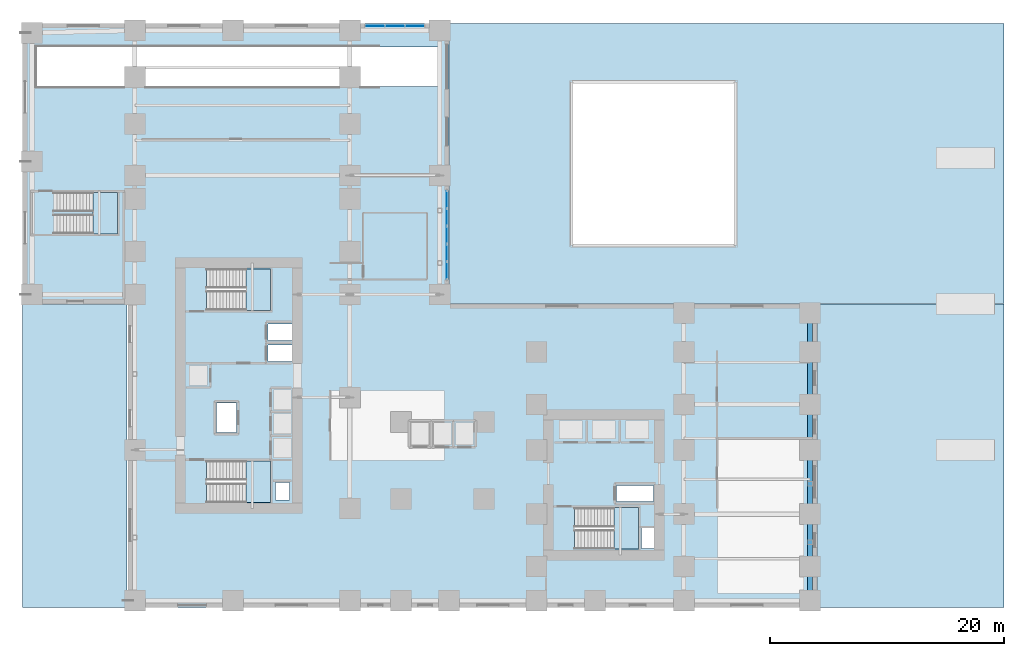
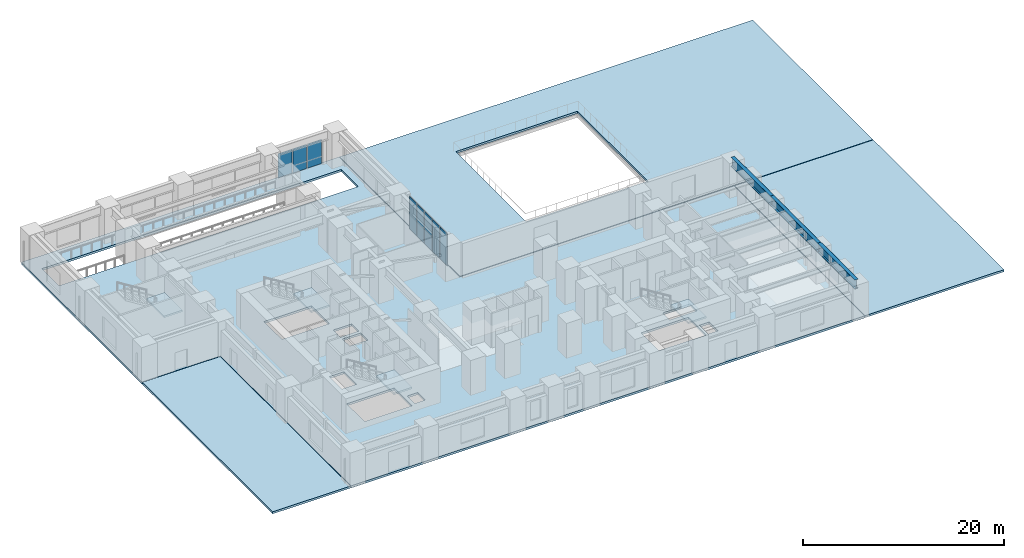
# One storey, part 11 of 23: 8 plates, 8 slabs, 3 beams, 6 elements without a shape of their own.
"""IFC4 building model written with IfcOpenShell, lengths in metres."""

from ifc_helpers import new_model, si_unit, direction, frame, origin, origin_2d, place, context, subcontext, project, spatial, polyline, rectangle, i_section, outline, extrude, source, transform, mapped, material, layer, layer_set, material_profile, profile_set, type_object, element, aggregate, save


model = new_model("IFC4")

# Units and contexts
model_context = context("Model", 3, precision=1e-05, world=origin(), true_north=direction((0.0, 1.0)))
body_context = subcontext(model_context, "Body", "Model", "MODEL_VIEW")
ifc_project = project(units=[si_unit("LENGTHUNIT", "METRE"), si_unit("AREAUNIT", "SQUARE_METRE"), si_unit("VOLUMEUNIT", "CUBIC_METRE"), si_unit("PLANEANGLEUNIT", "RADIAN"), si_unit("MASSUNIT", "GRAM", prefix="KILO")], contexts=[model_context])

# Site, building, storey
site_placement = place(None, origin())
site = spatial("IfcSite", under=ifc_project, at=site_placement, CompositionType="ELEMENT")
building_placement = place(site_placement, origin())
building = spatial("IfcBuilding", under=site, at=building_placement, Name="Kharzan Plaza Tower", CompositionType="ELEMENT")
storey_placement = place(building_placement, origin())
storey = spatial("IfcBuildingStorey", under=building, at=storey_placement, Name="L00", CompositionType="ELEMENT", Elevation=0.0)

# Beams
ifc_material_1 = material(Name="Steel S355", Category="steel")
ifc_material_profile = material_profile(ifc_material_1, i_section(OverallWidth=0.39990234375, OverallDepth=1.10009765625, WebThickness=0.02001953125, FlangeThickness=0.035888671875, at=origin_2d()), Name="W1100x390")
ifc_profile_set = profile_set([ifc_material_profile], Name="Steel S355")
beam_type = type_object("IfcBeamType", Name="BM-PG1100B", PredefinedType="BEAM", material=ifc_profile_set)
shared_shape_1 = source(origin(), body_context, "Body", "SweptSolid", [
    extrude(i_section(OverallWidth=0.39990234375, OverallDepth=1.10009765625, WebThickness=0.02001953125, FlangeThickness=0.035888671875, at=origin_2d()), origin(), (0.0, 0.0, 1.0), 7.39990234375),
])
beam_1_placement = place(storey_placement, frame((58.39990234375, 0.60009765625, 3.699951171875), z_axis=(0.0, 1.0, 0.0), x_axis=(-1.0, 0.0, 0.0)))
element("IfcBeam", 1, at=beam_1_placement, inside=storey, type_object=beam_type, Name="L00 Podium Primary Girder PG-25", PredefinedType="BEAM", context=body_context, shape_type="MappedRepresentation", body=[
    mapped(shared_shape_1, transform((0.0, 0.0, 0.0), x_axis=(1.0, 0.0, 0.0), y_axis=(0.0, 1.0, 0.0), z_axis=(0.0, 0.0, 1.0))),
])
shared_shape_2 = source(origin(), body_context, "Body", "SweptSolid", [
    extrude(i_section(OverallWidth=0.39990234375, OverallDepth=1.10009765625, WebThickness=0.02001953125, FlangeThickness=0.035888671875, at=origin_2d()), origin(), (0.0, 0.0, 1.0), 9.39990234375),
])
beam_2_placement = place(storey_placement, frame((58.39990234375, 8.0, 3.699951171875), z_axis=(0.0, 1.0, 0.0), x_axis=(-1.0, 0.0, 0.0)))
element("IfcBeam", 2, at=beam_2_placement, inside=storey, type_object=beam_type, Name="L00 Podium Primary Girder PG-26", PredefinedType="BEAM", context=body_context, shape_type="MappedRepresentation", body=[
    mapped(shared_shape_2, transform((0.0, 0.0, 0.0), x_axis=(1.0, 0.0, 0.0), y_axis=(0.0, 1.0, 0.0), z_axis=(0.0, 0.0, 1.0))),
])
shared_shape_3 = source(origin(), body_context, "Body", "SweptSolid", [
    extrude(i_section(OverallWidth=0.39990234375, OverallDepth=1.10009765625, WebThickness=0.02001953125, FlangeThickness=0.035888671875, at=origin_2d()), origin(), (0.0, 0.0, 1.0), 7.800048828125),
])
beam_3_placement = place(storey_placement, frame((58.39990234375, 17.39990234375, 3.699951171875), z_axis=(0.0, 1.0, 0.0), x_axis=(-1.0, 0.0, 0.0)))
element("IfcBeam", 3, at=beam_3_placement, inside=storey, type_object=beam_type, Name="L00 Podium Primary Girder PG-27", PredefinedType="BEAM", context=body_context, shape_type="MappedRepresentation", body=[
    mapped(shared_shape_3, transform((0.0, 0.0, 0.0), x_axis=(1.0, 0.0, 0.0), y_axis=(0.0, 1.0, 0.0), z_axis=(0.0, 0.0, 1.0))),
])

# Slab
ifc_material_2 = material(Name="Concrete C40/50", Category="concrete")
ifc_layer_1 = layer(ifc_material_2, 0.260009765625)
ifc_layer_set_1 = layer_set([ifc_layer_1], Name="Concrete C40/50")
slab_type_1 = type_object("IfcSlabType", Name="SL-FLOOR-260", PredefinedType="FLOOR", material=ifc_layer_set_1)
slab_1_placement = place(storey_placement, frame((0.0, 0.0, -0.260009765625)))
element("IfcSlab", 4, at=slab_1_placement, inside=storey, type_object=slab_type_1, Name="L00 Composite Structural Floor Slab 260 mm", PredefinedType="FLOOR", context=body_context, shape_type="SweptSolid", body=[
    extrude(outline(polyline([(59.0, 0.0), (59.0, 26.0), (27.5, 26.0), (27.5, 50.0), (-9.0, 50.0), (-9.0, 26.0), (0.0, 26.0), (0.0, 0.0), (59.0, 0.0)]), holes=[polyline([(45.050048828125, 6.800048828125), (43.949951171875, 6.800048828125), (43.949951171875, 5.050048828125), (45.050048828125, 5.050048828125), (45.050048828125, 6.800048828125)]), polyline([(43.699951171875, 8.550048828125), (38.25, 8.550048828125), (38.25, 5.0), (43.699951171875, 5.0), (43.699951171875, 8.550048828125)]), polyline([(45.0, 10.469970703125), (41.85009765625, 10.469970703125), (41.85009765625, 9.070068359375), (45.0, 9.070068359375), (45.0, 10.469970703125)]), polyline([(13.85009765625, 9.199951171875), (13.85009765625, 10.699951171875), (12.64990234375, 10.699951171875), (12.64990234375, 9.199951171875), (13.85009765625, 9.199951171875)]), polyline([(12.199951171875, 9.0), (12.199951171875, 12.550048828125), (6.75, 12.550048828125), (6.75, 9.0), (12.199951171875, 9.0)]), polyline([(9.300048828125, 17.5), (7.60009765625, 17.5), (7.60009765625, 15.0), (9.300048828125, 15.0), (9.300048828125, 17.5)]), polyline([(14.10009765625, 22.489990234375), (12.0, 22.489990234375), (12.0, 21.070068359375), (14.10009765625, 21.070068359375), (14.10009765625, 22.489990234375)]), polyline([(14.10009765625, 24.2900390625), (12.0, 24.2900390625), (12.0, 22.8701171875), (14.10009765625, 22.8701171875), (14.10009765625, 24.2900390625)]), polyline([(12.199951171875, 25.449951171875), (12.199951171875, 29.0), (6.75, 29.0), (6.75, 25.449951171875), (12.199951171875, 25.449951171875)]), polyline([(26.60009765625, 44.60009765625), (26.60009765625, 48.0), (-7.800048828125, 48.0), (-7.800048828125, 44.60009765625), (26.60009765625, 44.60009765625)])]), origin(), (0.0, 0.0, 1.0), 0.260009765625),
])

# Stair, slab
stair_type_1 = type_object("IfcStairType", Name="STR-ST-1", PredefinedType="HALF_TURN_STAIR", material=ifc_material_2)
stair_1_placement = place(storey_placement, origin())
stair_1 = element("IfcStair", 5, at=stair_1_placement, inside=storey, type_object=stair_type_1, Name="L00 Protected Exit Stair ST-1", PredefinedType="HALF_TURN_STAIR")
ifc_layer_2 = layer(ifc_material_2, 0.219970703125)
ifc_layer_set_2 = layer_set([ifc_layer_2], Name="Concrete C40/50")
slab_type_2 = type_object("IfcSlabType", Name="SL-LANDING-220", PredefinedType="LANDING", material=ifc_layer_set_2)
slab_2_placement = place(storey_placement, frame((0.0, 0.0, 2.050048828125)))
slab_2 = element("IfcSlab", 6, at=slab_2_placement, type_object=slab_type_2, Name="ST-1 landing 1", PredefinedType="LANDING", context=body_context, shape_type="SweptSolid", body=[
    extrude(outline(polyline([(10.110107421875, 9.0), (12.199951171875, 9.0), (12.199951171875, 12.550048828125), (10.110107421875, 12.550048828125), (10.110107421875, 9.0)])), origin(), (0.0, 0.0, 1.0), 0.199951171875),
])
aggregate(stair_1, [slab_2])

stair_type_2 = type_object("IfcStairType", Name="STR-ST-2", PredefinedType="HALF_TURN_STAIR", material=ifc_material_2)
stair_2_placement = place(storey_placement, origin())
stair_2 = element("IfcStair", 7, at=stair_2_placement, inside=storey, type_object=stair_type_2, Name="L00 Protected Exit Stair ST-2", PredefinedType="HALF_TURN_STAIR")
slab_3_placement = place(storey_placement, frame((0.0, 0.0, 2.050048828125)))
slab_3 = element("IfcSlab", 8, at=slab_3_placement, type_object=slab_type_2, Name="ST-2 landing 1", PredefinedType="LANDING", context=body_context, shape_type="SweptSolid", body=[
    extrude(outline(polyline([(10.110107421875, 25.449951171875), (12.199951171875, 25.449951171875), (12.199951171875, 29.0), (10.110107421875, 29.0), (10.110107421875, 25.449951171875)])), origin(), (0.0, 0.0, 1.0), 0.199951171875),
])
aggregate(stair_2, [slab_3])

stair_type_3 = type_object("IfcStairType", Name="STR-ST-3", PredefinedType="HALF_TURN_STAIR", material=ifc_material_2)
stair_3_placement = place(storey_placement, origin())
stair_3 = element("IfcStair", 9, at=stair_3_placement, inside=storey, type_object=stair_type_3, Name="L00 Protected Exit Stair ST-3", PredefinedType="HALF_TURN_STAIR")
slab_4_placement = place(storey_placement, frame((0.0, 0.0, 2.050048828125)))
slab_4 = element("IfcSlab", 10, at=slab_4_placement, type_object=slab_type_2, Name="ST-3 landing 1", PredefinedType="LANDING", context=body_context, shape_type="SweptSolid", body=[
    extrude(outline(polyline([(41.610107421875, 5.0), (43.699951171875, 5.0), (43.699951171875, 8.550048828125), (41.610107421875, 8.550048828125), (41.610107421875, 5.0)])), origin(), (0.0, 0.0, 1.0), 0.199951171875),
])
aggregate(stair_3, [slab_4])

stair_type_4 = type_object("IfcStairType", Name="STR-ST-4", PredefinedType="HALF_TURN_STAIR", material=ifc_material_2)
stair_4_placement = place(storey_placement, origin())
stair_4 = element("IfcStair", 11, at=stair_4_placement, inside=storey, type_object=stair_type_4, Name="L00 Podium Exit Stair ST-4", PredefinedType="HALF_TURN_STAIR")
slab_5_placement = place(storey_placement, frame((0.0, 0.0, 2.050048828125)))
slab_5 = element("IfcSlab", 12, at=slab_5_placement, type_object=slab_type_2, Name="ST-4 landing 1", PredefinedType="LANDING", context=body_context, shape_type="SweptSolid", body=[
    extrude(outline(polyline([(-2.989990234375, 32.0), (-0.89990234375, 32.0), (-0.89990234375, 35.550048828125), (-2.989990234375, 35.550048828125), (-2.989990234375, 32.0)])), origin(), (0.0, 0.0, 1.0), 0.199951171875),
])
aggregate(stair_4, [slab_5])

# Slabs
ifc_layer_3 = layer(ifc_material_2, 0.25)
ifc_layer_set_3 = layer_set([ifc_layer_3], Name="Concrete C40/50")
slab_type_3 = type_object("IfcSlabType", Name="SL-PLAZA-250", PredefinedType="USERDEFINED", material=ifc_layer_set_3)
slab_6_placement = place(storey_placement, frame((0.0, 0.0, -0.25)))
element("IfcSlab", 13, at=slab_6_placement, inside=storey, type_object=slab_type_3, Name="L00 Public Forecourt Plaza Paving 1", ObjectType="PAVING", PredefinedType="USERDEFINED", context=body_context, shape_type="SweptSolid", body=[
    extrude(outline(polyline([(-9.0, 0.0), (-0.050048828125, 0.0), (-0.050048828125, 25.949951171875), (-9.0, 25.949951171875), (-9.0, 0.0)])), origin(), (0.0, 0.0, 1.0), 0.25),
])
slab_7_placement = place(storey_placement, frame((0.0, 0.0, -0.25)))
element("IfcSlab", 14, at=slab_7_placement, inside=storey, type_object=slab_type_3, Name="L00 Public Forecourt Plaza Paving 2", ObjectType="PAVING", PredefinedType="USERDEFINED", context=body_context, shape_type="SweptSolid", body=[
    extrude(outline(polyline([(59.050048828125, 0.0), (75.0, 0.0), (75.0, 26.0), (59.050048828125, 26.0), (59.050048828125, 0.0)])), origin(), (0.0, 0.0, 1.0), 0.25),
])
slab_8_placement = place(storey_placement, frame((0.0, 0.0, -0.25)))
element("IfcSlab", 15, at=slab_8_placement, inside=storey, type_object=slab_type_3, Name="L00 Public Forecourt Plaza Paving 3", ObjectType="PAVING", PredefinedType="USERDEFINED", context=body_context, shape_type="SweptSolid", body=[
    extrude(outline(polyline([(27.550048828125, 26.050048828125), (75.0, 26.050048828125), (75.0, 50.0), (27.550048828125, 50.0), (27.550048828125, 26.050048828125)]), holes=[polyline([(38.0, 31.0), (52.0, 31.0), (52.0, 45.0), (38.0, 45.0), (38.0, 31.0)])]), origin(), (0.0, 0.0, 1.0), 0.25),
])

# Curtain wall, plates
ifc_material_3 = material(Name="Unitised Bronze-Anodized Aluminium and Low-E Glass", Category="aluminium")
ifc_layer_4 = layer(ifc_material_3, 0.199951171875)
ifc_layer_set_4 = layer_set([ifc_layer_4], Name="Unitised Bronze-Anodized Aluminium and Low-E Glass")
curtain_wall_type_1 = type_object("IfcCurtainWallType", Name="CW-PLAZA-2", PredefinedType="NOTDEFINED", material=ifc_layer_set_4)
curtain_wall_1_placement = place(storey_placement, origin())
curtain_wall_1 = element("IfcCurtainWall", 16, at=curtain_wall_1_placement, inside=storey, type_object=curtain_wall_type_1, Name="L00 Plaza Oculus Colonnade Vestibule Curtain Wall", PredefinedType="NOTDEFINED")
ifc_material_4 = material(Name="Dark Solar-Control Double Glazing", Category="glass")
ifc_layer_5 = layer(ifc_material_4, 0.031982421875)
ifc_layer_set_5 = layer_set([ifc_layer_5], Name="Dark Solar-Control Double Glazing")
plate_type = type_object("IfcPlateType", Name="PLT-CW-GLASS", PredefinedType="CURTAIN_PANEL", material=ifc_layer_set_5)
shared_shape_4 = source(origin(), body_context, "Body", "SweptSolid", [
    extrude(rectangle(XDim=1.39990234375, YDim=0.031982421875, at=origin_2d()), origin(), (0.0, 0.0, 1.0), 3.93994140625),
])
plate_1_placement = place(storey_placement, frame((27.300048828125, 28.860107421875, 0.080078125), z_axis=(0.0, 0.0, 1.0), x_axis=(0.0, 1.0, 0.0)))
plate_1 = element("IfcPlate", 17, at=plate_1_placement, type_object=plate_type, Name="L00 Curtain-Wall Glazed Panel 00", PredefinedType="CURTAIN_PANEL", context=body_context, shape_type="MappedRepresentation", body=[
    mapped(shared_shape_4, transform((0.0, 0.0, 0.0), x_axis=(1.0, 0.0, 0.0), y_axis=(0.0, 1.0, 0.0), z_axis=(0.0, 0.0, 1.0))),
])
plate_2_placement = place(storey_placement, frame((27.300048828125, 30.3798828125, 0.080078125), z_axis=(0.0, 0.0, 1.0), x_axis=(0.0, 1.0, 0.0)))
plate_2 = element("IfcPlate", 18, at=plate_2_placement, type_object=plate_type, Name="L00 Curtain-Wall Glazed Panel 01", PredefinedType="CURTAIN_PANEL", context=body_context, shape_type="MappedRepresentation", body=[
    mapped(shared_shape_4, transform((0.0, 0.0, 0.0), x_axis=(1.0, 0.0, 0.0), y_axis=(0.0, 1.0, 0.0), z_axis=(0.0, 0.0, 1.0))),
])
plate_3_placement = place(storey_placement, frame((27.300048828125, 31.89990234375, 0.080078125), z_axis=(0.0, 0.0, 1.0), x_axis=(0.0, 1.0, 0.0)))
plate_3 = element("IfcPlate", 19, at=plate_3_placement, type_object=plate_type, Name="L00 Curtain-Wall Glazed Panel 02", PredefinedType="CURTAIN_PANEL", context=body_context, shape_type="MappedRepresentation", body=[
    mapped(shared_shape_4, transform((0.0, 0.0, 0.0), x_axis=(1.0, 0.0, 0.0), y_axis=(0.0, 1.0, 0.0), z_axis=(0.0, 0.0, 1.0))),
])
plate_4_placement = place(storey_placement, frame((27.300048828125, 33.419921875, 0.080078125), z_axis=(0.0, 0.0, 1.0), x_axis=(0.0, 1.0, 0.0)))
plate_4 = element("IfcPlate", 20, at=plate_4_placement, type_object=plate_type, Name="L00 Curtain-Wall Glazed Panel 03", PredefinedType="CURTAIN_PANEL", context=body_context, shape_type="MappedRepresentation", body=[
    mapped(shared_shape_4, transform((0.0, 0.0, 0.0), x_axis=(1.0, 0.0, 0.0), y_axis=(0.0, 1.0, 0.0), z_axis=(0.0, 0.0, 1.0))),
])
plate_5_placement = place(storey_placement, frame((27.300048828125, 34.93994140625, 0.080078125), z_axis=(0.0, 0.0, 1.0), x_axis=(0.0, 1.0, 0.0)))
plate_5 = element("IfcPlate", 21, at=plate_5_placement, type_object=plate_type, Name="L00 Curtain-Wall Glazed Panel 04", PredefinedType="CURTAIN_PANEL", context=body_context, shape_type="MappedRepresentation", body=[
    mapped(shared_shape_4, transform((0.0, 0.0, 0.0), x_axis=(1.0, 0.0, 0.0), y_axis=(0.0, 1.0, 0.0), z_axis=(0.0, 0.0, 1.0))),
])
aggregate(curtain_wall_1, [plate_1, plate_2, plate_3, plate_4, plate_5])

ifc_layer_6 = layer(ifc_material_3, 0.199951171875)
ifc_layer_set_6 = layer_set([ifc_layer_6], Name="Unitised Bronze-Anodized Aluminium and Low-E Glass")
curtain_wall_type_2 = type_object("IfcCurtainWallType", Name="CW-PODIUM-1", PredefinedType="NOTDEFINED", material=ifc_layer_set_6)
curtain_wall_2_placement = place(storey_placement, origin())
curtain_wall_2 = element("IfcCurtainWall", 22, at=curtain_wall_2_placement, inside=storey, type_object=curtain_wall_type_2, Name="L00 Podium North Gallery Curtain Wall", PredefinedType="NOTDEFINED")
shared_shape_5 = source(origin(), body_context, "Body", "SweptSolid", [
    extrude(rectangle(XDim=1.580078125, YDim=0.031982421875, at=origin_2d()), origin(), (0.0, 0.0, 1.0), 2.93994140625),
])
plate_6_placement = place(storey_placement, frame((21.14990234375, 49.800048828125, 0.080078125), z_axis=(0.0, 0.0, 1.0), x_axis=(1.0, 0.0, 0.0)))
plate_6 = element("IfcPlate", 23, at=plate_6_placement, type_object=plate_type, Name="L00 Curtain-Wall Glazed Panel 00", PredefinedType="CURTAIN_PANEL", context=body_context, shape_type="MappedRepresentation", body=[
    mapped(shared_shape_5, transform((0.0, 0.0, 0.0), x_axis=(1.0, 0.0, 0.0), y_axis=(0.0, 1.0, 0.0), z_axis=(0.0, 0.0, 1.0))),
])
plate_7_placement = place(storey_placement, frame((22.85009765625, 49.800048828125, 0.080078125), z_axis=(0.0, 0.0, 1.0), x_axis=(1.0, 0.0, 0.0)))
plate_7 = element("IfcPlate", 24, at=plate_7_placement, type_object=plate_type, Name="L00 Curtain-Wall Glazed Panel 01", PredefinedType="CURTAIN_PANEL", context=body_context, shape_type="MappedRepresentation", body=[
    mapped(shared_shape_5, transform((0.0, 0.0, 0.0), x_axis=(1.0, 0.0, 0.0), y_axis=(0.0, 1.0, 0.0), z_axis=(0.0, 0.0, 1.0))),
])
plate_8_placement = place(storey_placement, frame((24.550048828125, 49.800048828125, 0.080078125), z_axis=(0.0, 0.0, 1.0), x_axis=(1.0, 0.0, 0.0)))
plate_8 = element("IfcPlate", 25, at=plate_8_placement, type_object=plate_type, Name="L00 Curtain-Wall Glazed Panel 02", PredefinedType="CURTAIN_PANEL", context=body_context, shape_type="MappedRepresentation", body=[
    mapped(shared_shape_5, transform((0.0, 0.0, 0.0), x_axis=(1.0, 0.0, 0.0), y_axis=(0.0, 1.0, 0.0), z_axis=(0.0, 0.0, 1.0))),
])
aggregate(curtain_wall_2, [plate_6, plate_7, plate_8])

save(model, "model.ifc")
